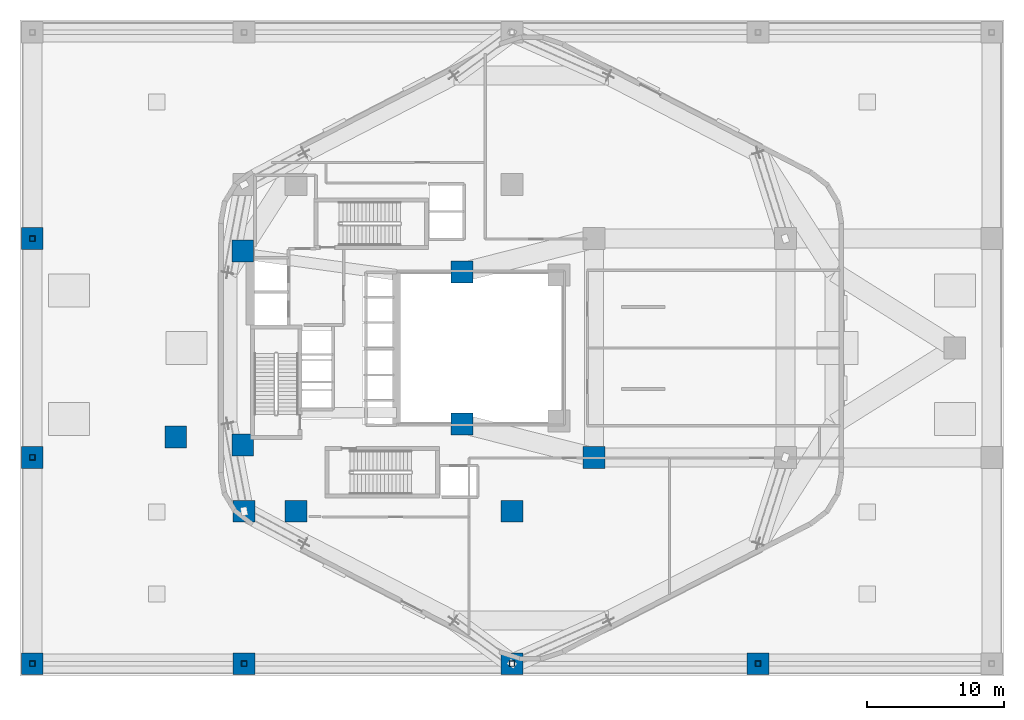
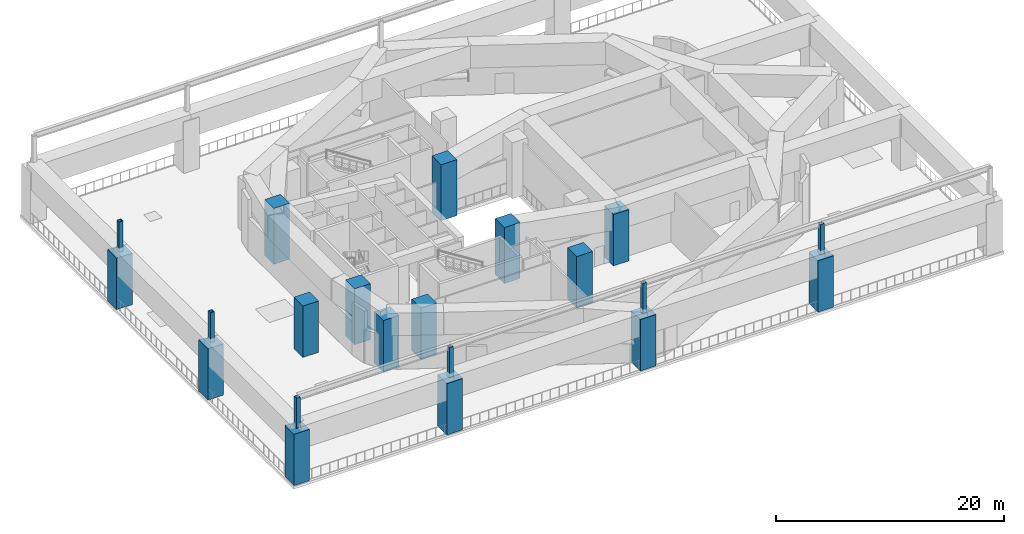
# One storey, part 1 of 15: 21 columns.
"""IFC4 building model written with IfcOpenShell, lengths in metres."""

from ifc_helpers import new_model, si_unit, direction, frame, origin, origin_2d, place, context, subcontext, project, spatial, rectangle, hollow_rectangle, extrude, material, material_profile, profile_set, type_object, element, save


model = new_model("IFC4")

# Units and contexts
model_context = context("Model", 3, precision=1e-05, world=origin(), true_north=direction((0.0, 1.0)))
body_context = subcontext(model_context, "Body", "Model", "MODEL_VIEW")
ifc_project = project(units=[si_unit("LENGTHUNIT", "METRE"), si_unit("AREAUNIT", "SQUARE_METRE"), si_unit("VOLUMEUNIT", "CUBIC_METRE"), si_unit("PLANEANGLEUNIT", "RADIAN"), si_unit("MASSUNIT", "GRAM", prefix="KILO"), si_unit("THERMODYNAMICTEMPERATUREUNIT", "KELVIN"), si_unit("POWERUNIT", "WATT")], contexts=[model_context])

# Site, building, storey
site_placement = place(None, origin())
site = spatial("IfcSite", under=ifc_project, at=site_placement, CompositionType="ELEMENT")
building_placement = place(site_placement, origin())
building = spatial("IfcBuilding", under=site, at=building_placement, Name="Skarre Station Tower", CompositionType="ELEMENT")
storey_placement = place(building_placement, frame((0.0, 0.0, 21.0)))
storey = spatial("IfcBuildingStorey", under=building, at=storey_placement, Name="L05", CompositionType="ELEMENT", Elevation=21.0)

# Columns
ifc_material_1 = material(Name="Concrete C70/85", Category="concrete")
ifc_material_profile_1 = material_profile(ifc_material_1, rectangle(XDim=1.60009765625, YDim=1.60009765625, at=origin_2d()), Name="Concrete C70/85")
ifc_profile_set_1 = profile_set([ifc_material_profile_1], Name="Concrete C70/85")
column_type_1 = type_object("IfcColumnType", Name="RC Structural Column RC-COL-1600X1600", PredefinedType="COLUMN", material=ifc_profile_set_1)
for number, where, z_axis, x_axis, name in (
    (1, (16.300048828125, 16.89990234375, 0.0), (0.0, 0.0, 1.0), (1.0, 0.0, 0.0), "L05 Core Column CC-SW"),
    (2, (16.300048828125, 31.10009765625, 0.0), (0.0, 0.0, 1.0), (1.0, 0.0, 0.0), "L05 Core Column CC-NW"),
    (3, (32.35009765625, 18.449951171875, 0.0), (0.0, 0.0, 1.0), (1.0, 0.0, 0.0), "L05 Core Column CC-SE"),
    (4, (32.35009765625, 29.550048828125, 0.0), (0.0, 0.0, 1.0), (1.0, 0.0, 0.0), "L05 Core Column CC-NE"),
):
    element("IfcColumn", number, at=place(storey_placement, frame(where, z_axis=z_axis, x_axis=x_axis)), inside=storey, type_object=column_type_1, Name=name, PredefinedType="COLUMN", context=body_context, shape_type="SweptSolid", body=[
        extrude(rectangle(XDim=1.60009765625, YDim=1.60009765625, at=origin_2d()), origin(), (0.0, 0.0, 1.0), 6.0),
    ])
for number, where, z_axis, x_axis, name in (
    (5, (0.89990234375, 0.89990234375, 0.0), (0.0, 0.0, 1.0), (1.0, 0.0, 0.0), "L05 Station Concourse Mega-Column PM01"),
    (6, (16.39990234375, 0.89990234375, 0.0), (0.0, 0.0, 1.0), (1.0, 0.0, 0.0), "L05 Station Concourse Mega-Column PM05"),
    (7, (36.0, 0.89990234375, 0.0), (0.0, 0.0, 1.0), (1.0, 0.0, 0.0), "L05 Station Concourse Mega-Column PM06"),
    (8, (54.0, 0.89990234375, 0.0), (0.0, 0.0, 1.0), (1.0, 0.0, 0.0), "L05 Station Concourse Mega-Column PM07"),
    (9, (0.89990234375, 16.0, 0.0), (0.0, 0.0, 1.0), (1.0, 0.0, 0.0), "L05 Station Concourse Mega-Column PM11"),
    (10, (0.89990234375, 32.0, 0.0), (0.0, 0.0, 1.0), (1.0, 0.0, 0.0), "L05 Station Concourse Mega-Column PM12"),
    (11, (42.0, 16.0, 0.0), (0.0, 0.0, 1.0), (1.0, 0.0, 0.0), "L05 Station Concourse Mega-Column PM15"),
    (12, (11.39990234375, 17.5, 0.0), (0.0, 0.0, 1.0), (1.0, 0.0, 0.0), "L05 Station Concourse Mega-Column PM19"),
    (13, (20.199951171875, 12.050048828125, 0.0), (0.0, 0.0, 1.0), (1.0, 0.0, 0.0), "L05 Station Concourse Mega-Column PM22"),
    (14, (16.39990234375, 12.050048828125, 0.0), (0.0, 0.0, 1.0), (1.0, 0.0, 0.0), "L05 Station Concourse Mega-Column PM23"),
    (15, (36.0, 12.050048828125, 0.0), (0.0, 0.0, 1.0), (1.0, 0.0, 0.0), "L05 Station Concourse Mega-Column PM24"),
):
    element("IfcColumn", number, at=place(storey_placement, frame(where, z_axis=z_axis, x_axis=x_axis)), inside=storey, type_object=column_type_1, Name=name, PredefinedType="COLUMN", context=body_context, shape_type="SweptSolid", body=[
        extrude(rectangle(XDim=1.60009765625, YDim=1.60009765625, at=origin_2d()), origin(), (0.0, 0.0, 1.0), 5.5),
    ])
ifc_material_2 = material(Name="Steel ASTM A500 Grade C", Category="steel")
ifc_material_profile_2 = material_profile(ifc_material_2, hollow_rectangle(XDim=0.39990234375, YDim=0.39990234375, WallThickness=0.02197265625, at=origin_2d()), Name="Steel ASTM A500 Grade C")
ifc_profile_set_2 = profile_set([ifc_material_profile_2], Name="Steel ASTM A500 Grade C")
column_type_2 = type_object("IfcColumnType", Name="Steel Strut HSS400X400X22", PredefinedType="USERDEFINED", material=ifc_profile_set_2)
for number, where, z_axis, x_axis, name in (
    (16, (0.89990234375, 0.89990234375, 5.550048828125), (0.0, 0.0, 1.0), (1.0, 0.0, 0.0), "L05 Podium Terrace Pergola Strut Post 1"),
    (17, (16.39990234375, 0.89990234375, 5.550048828125), (0.0, 0.0, 1.0), (1.0, 0.0, 0.0), "L05 Podium Terrace Pergola Strut Post 5"),
    (18, (36.0, 0.89990234375, 5.550048828125), (0.0, 0.0, 1.0), (1.0, 0.0, 0.0), "L05 Podium Terrace Pergola Strut Post 6"),
    (19, (54.0, 0.89990234375, 5.550048828125), (0.0, 0.0, 1.0), (1.0, 0.0, 0.0), "L05 Podium Terrace Pergola Strut Post 7"),
    (20, (0.89990234375, 16.0, 5.550048828125), (0.0, 0.0, 1.0), (1.0, 0.0, 0.0), "L05 Podium Terrace Pergola Strut Post 11"),
    (21, (0.89990234375, 32.0, 5.550048828125), (0.0, 0.0, 1.0), (1.0, 0.0, 0.0), "L05 Podium Terrace Pergola Strut Post 12"),
):
    element("IfcColumn", number, at=place(storey_placement, frame(where, z_axis=z_axis, x_axis=x_axis)), inside=storey, type_object=column_type_2, Name=name, ObjectType="STRUT", PredefinedType="USERDEFINED", context=body_context, shape_type="SweptSolid", body=[
        extrude(hollow_rectangle(XDim=0.39990234375, YDim=0.39990234375, WallThickness=0.02197265625, at=origin_2d()), origin(), (0.0, 0.0, 1.0), 3.25),
    ])

save(model, "model.ifc")
